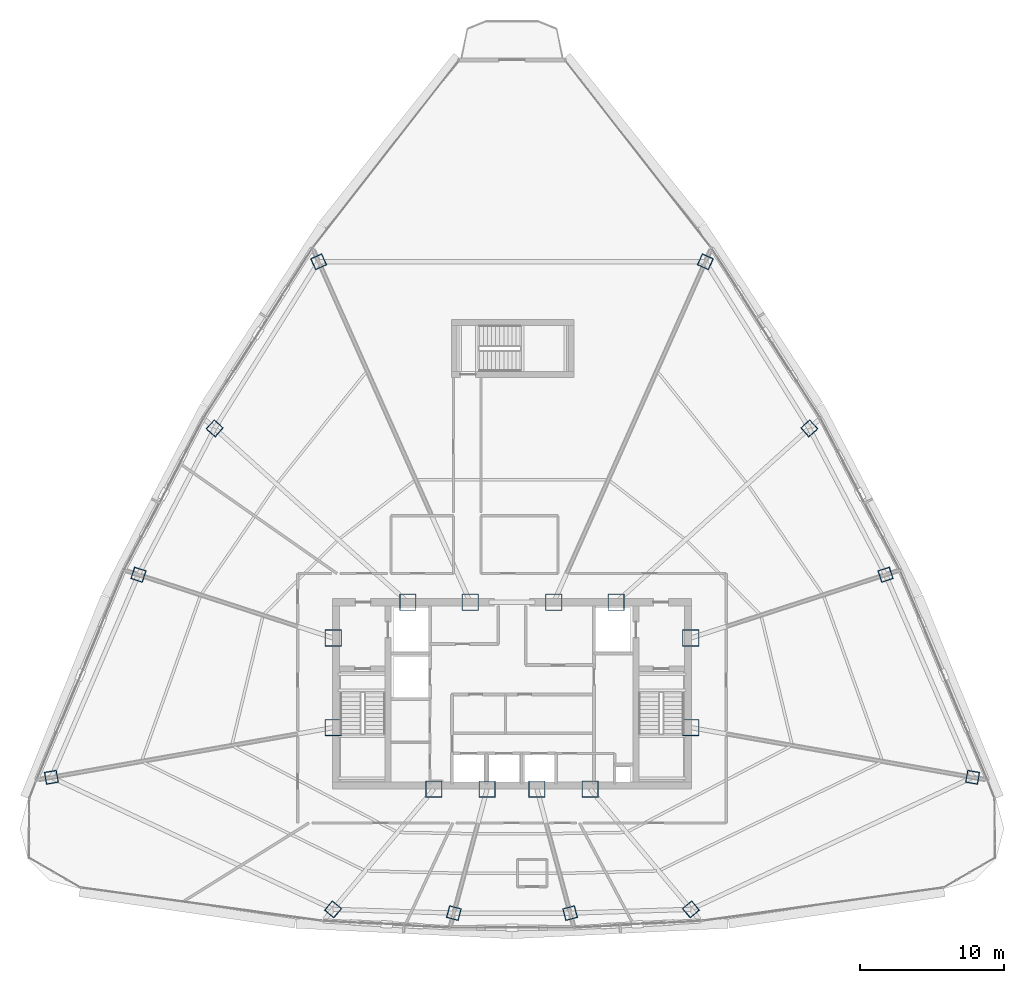
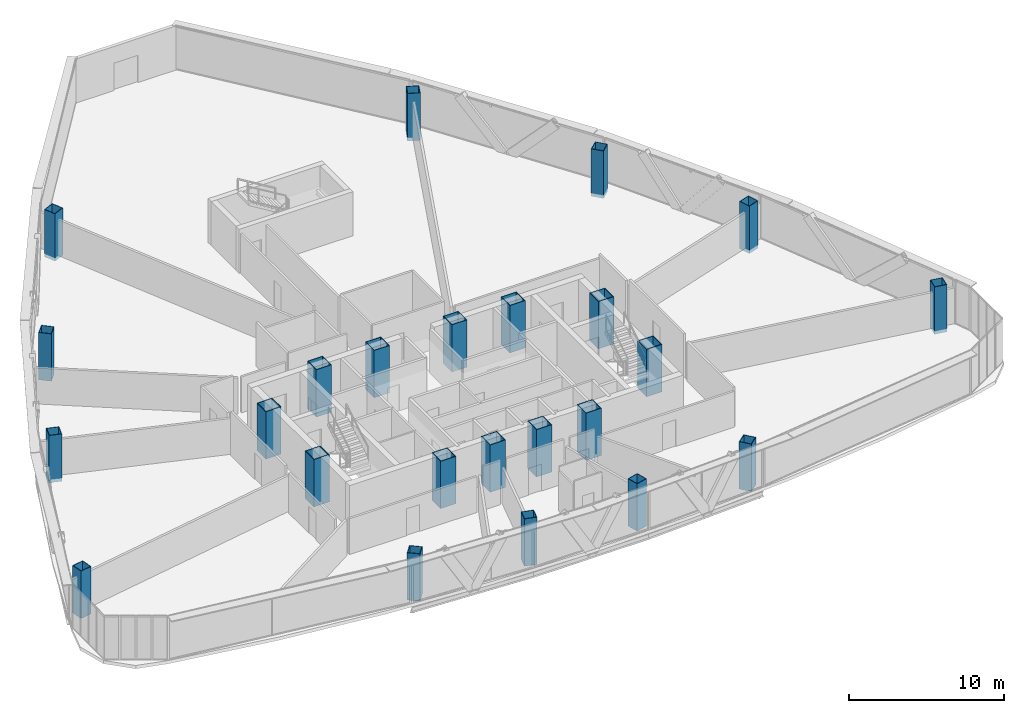
# One storey, part 1 of 36: 24 columns.
"""IFC4 building model written with IfcOpenShell, lengths in metres."""

from ifc_helpers import new_model, si_unit, direction, frame, origin, origin_2d, place, context, subcontext, project, spatial, hollow_rectangle, extrude, source, transform, mapped, material, material_profile, profile_set, type_object, element, save


model = new_model("IFC4")

# Units and contexts
model_context = context("Model", 3, precision=1e-05, world=origin(), true_north=direction((0.0, 1.0)))
body_context = subcontext(model_context, "Body", "Model", "MODEL_VIEW")
ifc_project = project(units=[si_unit("LENGTHUNIT", "METRE"), si_unit("AREAUNIT", "SQUARE_METRE"), si_unit("VOLUMEUNIT", "CUBIC_METRE"), si_unit("PLANEANGLEUNIT", "RADIAN"), si_unit("MASSUNIT", "GRAM", prefix="KILO"), si_unit("THERMODYNAMICTEMPERATUREUNIT", "KELVIN"), si_unit("POWERUNIT", "WATT")], contexts=[model_context])

# Site, building, storey
site_placement = place(None, origin())
site = spatial("IfcSite", under=ifc_project, at=site_placement, CompositionType="ELEMENT")
building_placement = place(site_placement, origin())
building = spatial("IfcBuilding", under=site, at=building_placement, Name="Yunzhuo Pagoda Commons", CompositionType="ELEMENT")
storey_placement = place(building_placement, frame((0.0, 0.0, 263.179931640625)))
storey = spatial("IfcBuildingStorey", under=building, at=storey_placement, Name="L66", CompositionType="ELEMENT", Elevation=263.179931640625)

# Columns
ifc_material_1 = material(Name="Structural steel Q420B", Category="steel")
ifc_material_profile_1 = material_profile(ifc_material_1, hollow_rectangle(XDim=1.14990234375, YDim=1.14990234375, WallThickness=0.048095703125, at=origin_2d()), Name="Structural steel Q420B")
ifc_profile_set_1 = profile_set([ifc_material_profile_1], Name="Structural steel Q420B")
column_type_1 = type_object("IfcColumnType", Name="C-COR Column BOX 1150x1150x48", PredefinedType="COLUMN", material=ifc_profile_set_1)
shared_shape_1 = source(origin(), body_context, "Body", "SweptSolid", [
    extrude(hollow_rectangle(XDim=1.14990234375, YDim=1.14990234375, WallThickness=0.048095703125, at=origin_2d()), origin(), (0.0, 0.0, 1.0), 3.72998046875),
])
for number, where, z_axis, x_axis, name in (
    (1, (42.587890625, 27.25, -0.260009765625), (0.0, 0.0, 1.0), (1.0, 0.0, 0.0), "L66 core composite column F1C1"),
    (2, (46.27197265625, 27.25, -0.260009765625), (0.0, 0.0, 1.0), (1.0, 0.0, 0.0), "L66 core composite column F1C2"),
    (3, (49.728515625, 27.25, -0.260009765625), (0.0, 0.0, 1.0), (1.0, 0.0, 0.0), "L66 core composite column F1C3"),
    (4, (53.412109375, 27.25, -0.260009765625), (0.0, 0.0, 1.0), (1.0, 0.0, 0.0), "L66 core composite column F1C4"),
    (5, (60.39990234375, 31.513427734375, -0.260009765625), (0.0, 0.0, 1.0), (1.0, 0.0, 0.0), "L66 core composite column F2C1"),
    (6, (60.39990234375, 37.72900390625, -0.260009765625), (0.0, 0.0, 1.0), (1.0, 0.0, 0.0), "L66 core composite column F2C2"),
    (7, (55.218994140625, 40.199951171875, -0.260009765625), (0.0, 0.0, 1.0), (1.0, 0.0, 0.0), "L66 core composite column F2C3"),
    (8, (50.89404296875, 40.199951171875, -0.260009765625), (0.0, 0.0, 1.0), (1.0, 0.0, 0.0), "L66 core composite column F2C4"),
    (9, (45.10595703125, 40.199951171875, -0.260009765625), (0.0, 0.0, 1.0), (1.0, 0.0, 0.0), "L66 core composite column F3C1"),
    (10, (40.781005859375, 40.199951171875, -0.260009765625), (0.0, 0.0, 1.0), (1.0, 0.0, 0.0), "L66 core composite column F3C2"),
    (11, (35.60009765625, 37.72900390625, -0.260009765625), (0.0, 0.0, 1.0), (1.0, 0.0, 0.0), "L66 core composite column F3C3"),
    (12, (35.60009765625, 31.513427734375, -0.260009765625), (0.0, 0.0, 1.0), (1.0, 0.0, 0.0), "L66 core composite column F3C4"),
):
    element("IfcColumn", number, at=place(storey_placement, frame(where, z_axis=z_axis, x_axis=x_axis)), inside=storey, type_object=column_type_1, Name=name, PredefinedType="COLUMN", context=body_context, shape_type="MappedRepresentation", body=[
        mapped(shared_shape_1, transform((0.0, 0.0, 0.0), scale=1.0)),
    ])
ifc_material_2 = material(Name="Structural steel Q355B", Category="steel")
ifc_material_profile_2 = material_profile(ifc_material_2, hollow_rectangle(XDim=0.85009765625, YDim=0.85009765625, WallThickness=0.033935546875, at=origin_2d()), Name="Structural steel Q355B")
ifc_profile_set_2 = profile_set([ifc_material_profile_2], Name="Structural steel Q355B")
column_type_2 = type_object("IfcColumnType", Name="C-Z5 Column BOX 850x850x34", PredefinedType="COLUMN", material=ifc_profile_set_2)
shared_shape_2 = source(origin(), body_context, "Body", "SweptSolid", [
    extrude(hollow_rectangle(XDim=0.85009765625, YDim=0.85009765625, WallThickness=0.033935546875, at=origin_2d()), origin(), (0.0, 0.0, 1.0), 3.72998046875),
])
for number, where, z_axis, x_axis, name in (
    (13, (35.593017578125, 18.913818359375, -0.260009765625), (0.0, 0.0, 1.0), (0.766044443119, -0.642787609687, 0.0), "L66 tower column F1C1"),
    (14, (43.968505859375, 18.654052734375, -0.260009765625), (0.0, 0.0, 1.0), (0.965925826289, -0.258819045103, 0.0), "L66 tower column F1C2"),
    (15, (52.031494140625, 18.654052734375, -0.260009765625), (0.0, 0.0, 1.0), (0.965925826289, 0.258819045103, 0.0), "L66 tower column F1C3"),
    (16, (60.406982421875, 18.913818359375, -0.260009765625), (0.0, 0.0, 1.0), (0.766044443119, 0.642787609687, 0.0), "L66 tower column F1C4"),
    (17, (79.93408203125, 28.069091796875, -0.260009765625), (0.0, 0.0, 1.0), (0.173648177667, 0.984807753012, 0.0), "L66 tower column F2C1"),
    (18, (73.898681640625, 42.114990234375, -0.260009765625), (0.0, 0.0, 1.0), (-0.309016994375, 0.951056516295, 0.0), "L66 tower column F2C2"),
    (19, (68.61181640625, 52.259033203125, -0.260009765625), (0.0, 0.0, 1.0), (-0.669130606359, 0.743144825477, 0.0), "L66 tower column F2C3"),
    (20, (61.40673828125, 63.81201171875, -0.260009765625), (0.0, 0.0, 1.0), (-0.913545457643, 0.406736643076, 0.0), "L66 tower column F2C4"),
    (21, (34.59326171875, 63.81201171875, -0.260009765625), (0.0, 0.0, 1.0), (-0.913545457643, -0.406736643076, 0.0), "L66 tower column F3C1"),
    (22, (27.38818359375, 52.259033203125, -0.260009765625), (0.0, 0.0, 1.0), (-0.669130606359, -0.743144825477, 0.0), "L66 tower column F3C2"),
    (23, (22.101806640625, 42.114990234375, -0.260009765625), (0.0, 0.0, 1.0), (-0.309016994375, -0.951056516295, 0.0), "L66 tower column F3C3"),
    (24, (16.06591796875, 28.069091796875, -0.260009765625), (0.0, 0.0, 1.0), (0.173648177667, -0.984807753012, 0.0), "L66 tower column F3C4"),
):
    element("IfcColumn", number, at=place(storey_placement, frame(where, z_axis=z_axis, x_axis=x_axis)), inside=storey, type_object=column_type_2, Name=name, PredefinedType="COLUMN", context=body_context, shape_type="MappedRepresentation", body=[
        mapped(shared_shape_2, transform((0.0, 0.0, 0.0), scale=1.0)),
    ])

save(model, "model.ifc")
